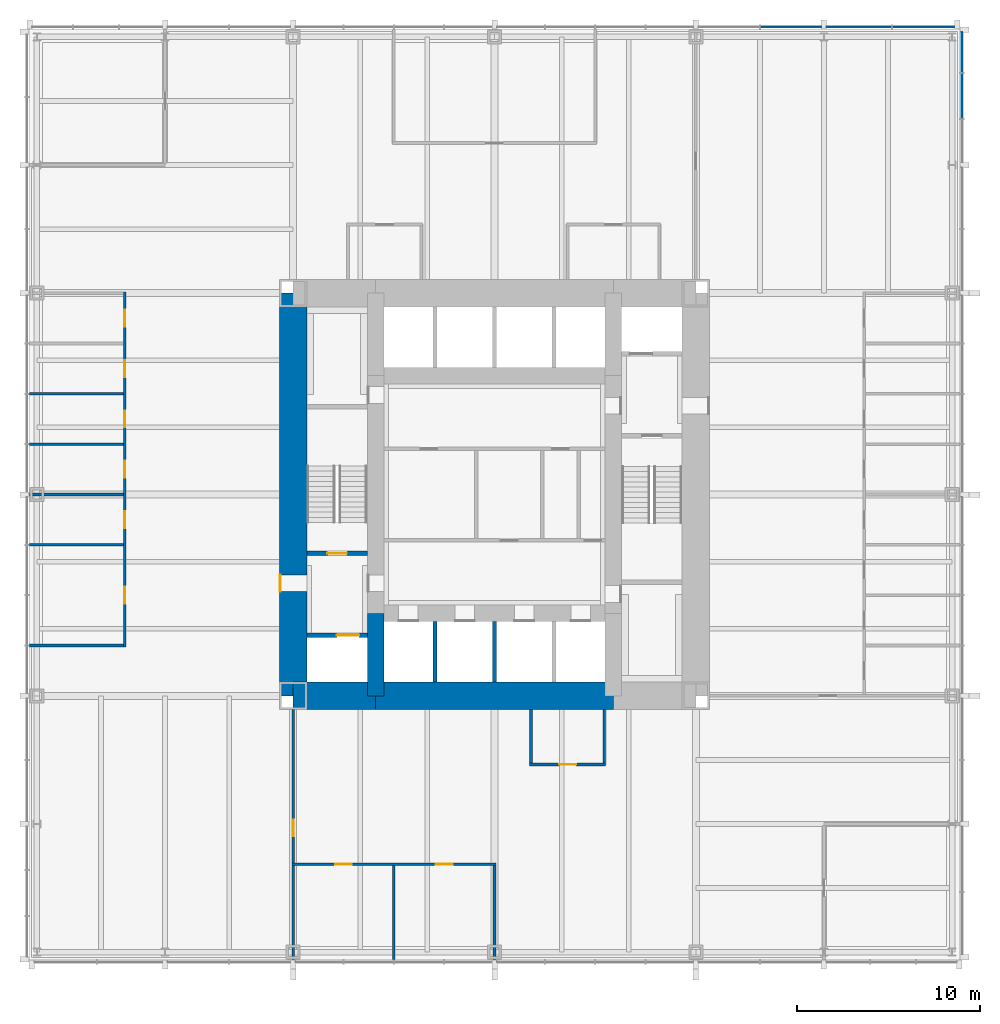
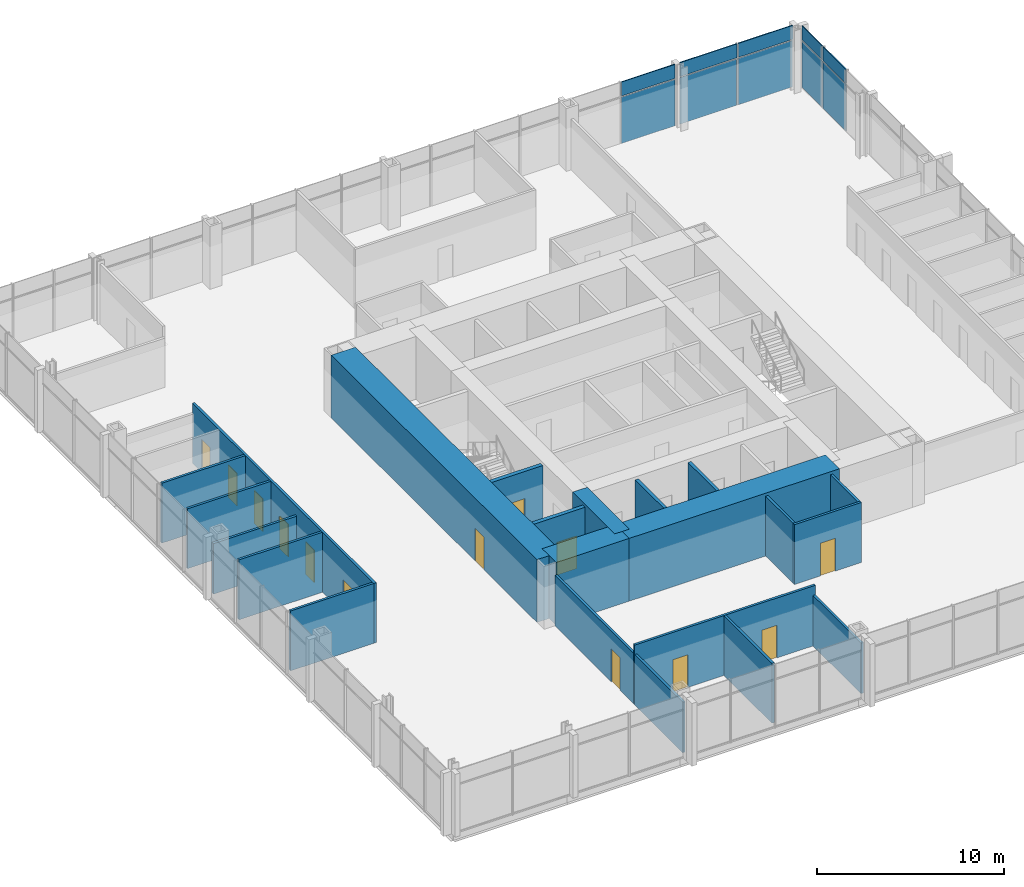
# One storey, part 9 of 13: 21 walls, 13 doors, 10 plates, 13 openings, 2 elements without a shape of their own.
"""IFC4 building model written with IfcOpenShell, lengths in metres."""

from ifc_helpers import new_model, si_unit, direction, frame, frame_2d, origin, origin_2d, place, context, subcontext, project, spatial, rectangle, extrude, material, layer, layer_set, type_object, element, fill, aggregate, save


model = new_model("IFC4")

# Units and contexts
model_context = context("Model", 3, precision=1e-05, world=origin(), true_north=direction((0.0, 1.0)))
body_context = subcontext(model_context, "Body", "Model", "MODEL_VIEW")
ifc_project = project(units=[si_unit("LENGTHUNIT", "METRE"), si_unit("AREAUNIT", "SQUARE_METRE"), si_unit("VOLUMEUNIT", "CUBIC_METRE"), si_unit("PLANEANGLEUNIT", "RADIAN"), si_unit("MASSUNIT", "GRAM", prefix="KILO")], contexts=[model_context])

# Site, building, storey
site_placement = place(None, origin())
site = spatial("IfcSite", under=ifc_project, at=site_placement, CompositionType="ELEMENT")
building_placement = place(site_placement, origin())
building = spatial("IfcBuilding", under=site, at=building_placement, Name="Trevanion Tower", CompositionType="ELEMENT")
storey_placement = place(building_placement, frame((0.0, 0.0, 85.699951171875)))
storey = spatial("IfcBuildingStorey", under=building, at=storey_placement, Name="L20", CompositionType="ELEMENT", Elevation=85.699951171875)

# Curtain wall, plates
ifc_material_1 = material(Name="Aluminium and glass", Category="aluminium")
curtain_wall_type = type_object("IfcCurtainWallType", Name="CW1 curtain wall", PredefinedType="USERDEFINED", material=ifc_material_1)
curtain_wall_1_placement = place(storey_placement, origin())
curtain_wall_1 = element("IfcCurtainWall", 1, at=curtain_wall_1_placement, inside=storey, type_object=curtain_wall_type, Name="CW1 L20 0", ObjectType="UNITISED CURTAIN WALL", PredefinedType="USERDEFINED")
ifc_material_2 = material(Name="Aluminium spandrel panel", Category="aluminium")
ifc_layer_1 = layer(ifc_material_2, 0.06005859375)
ifc_layer_set_1 = layer_set([ifc_layer_1], Name="CW1 spandrel panel")
plate_type_1 = type_object("IfcPlateType", Name="CW1 spandrel panel", PredefinedType="CURTAIN_PANEL", material=ifc_layer_set_1)
plate_1_placement = place(storey_placement, frame((25.550048828125, 21.77490234375, 2.99755859375), z_axis=(0.0, 0.0, 1.0), x_axis=(0.0, 1.0, 0.0)))
plate_1 = element("IfcPlate", 2, at=plate_1_placement, type_object=plate_type_1, Name="CW1 panel 16.2", PredefinedType="CURTAIN_PANEL", context=body_context, shape_type="SweptSolid", body=[
    extrude(rectangle(XDim=2.441650390625, YDim=0.06005859375, at=origin_2d()), origin(), (0.0, 0.0, 1.0), 0.91259765625),
])
plate_2_placement = place(storey_placement, frame((25.550048828125, 24.160400390625, 2.99755859375), z_axis=(0.0, 0.0, 1.0), x_axis=(0.0, 1.0, 0.0)))
plate_2 = element("IfcPlate", 3, at=plate_2_placement, type_object=plate_type_1, Name="CW1 panel 17.2", PredefinedType="CURTAIN_PANEL", context=body_context, shape_type="SweptSolid", body=[
    extrude(rectangle(XDim=2.17919921875, YDim=0.06005859375, at=origin_2d()), origin(), (0.0, 0.0, 1.0), 0.91259765625),
])

curtain_wall_2_placement = place(storey_placement, origin())
curtain_wall_2 = element("IfcCurtainWall", 4, at=curtain_wall_2_placement, inside=storey, type_object=curtain_wall_type, Name="CW1 L20 1", ObjectType="UNITISED CURTAIN WALL", PredefinedType="USERDEFINED")
plate_3_placement = place(storey_placement, frame((23.433837890625, 25.550048828125, 2.99755859375), z_axis=(0.0, 0.0, 1.0), x_axis=(-1.0, 0.0, 0.0)))
plate_3 = element("IfcPlate", 5, at=plate_3_placement, type_object=plate_type_1, Name="CW1 panel 1.2", PredefinedType="CURTAIN_PANEL", context=body_context, shape_type="SweptSolid", body=[
    extrude(rectangle(XDim=3.37255859375, YDim=0.06005859375, at=origin_2d()), origin(), (0.0, 0.0, 1.0), 0.91259765625),
])
plate_4_placement = place(storey_placement, frame((19.911376953125, 25.550048828125, 2.99755859375), z_axis=(0.0, 0.0, 1.0), x_axis=(-1.0, 0.0, 0.0)))
plate_4 = element("IfcPlate", 6, at=plate_4_placement, type_object=plate_type_1, Name="CW1 panel 2.2", PredefinedType="CURTAIN_PANEL", context=body_context, shape_type="SweptSolid", body=[
    extrude(rectangle(XDim=3.5224609375, YDim=0.06005859375, at=origin_2d()), origin(), (0.0, 0.0, 1.0), 0.91259765625),
])
plate_5_placement = place(storey_placement, frame((16.19384765625, 25.550048828125, 2.99755859375), z_axis=(0.0, 0.0, 1.0), x_axis=(-1.0, 0.0, 0.0)))
plate_5 = element("IfcPlate", 7, at=plate_5_placement, type_object=plate_type_1, Name="CW1 panel 3.2", PredefinedType="CURTAIN_PANEL", context=body_context, shape_type="SweptSolid", body=[
    extrude(rectangle(XDim=3.3125, YDim=0.06005859375, at=origin_2d()), origin(), (0.0, 0.0, 1.0), 0.91259765625),
])

# Plate
ifc_material_3 = material(Name="Insulating glass unit", Category="glass")
ifc_layer_2 = layer(ifc_material_3, 0.028076171875)
ifc_layer_set_2 = layer_set([ifc_layer_2], Name="CW1 vision panel")
plate_type_2 = type_object("IfcPlateType", Name="CW1 vision panel", PredefinedType="CURTAIN_PANEL", material=ifc_layer_set_2)
plate_6_placement = place(storey_placement, frame((25.550048828125, 21.77490234375, -0.114990234375), z_axis=(0.0, 0.0, 1.0), x_axis=(0.0, 1.0, 0.0)))
plate_6 = element("IfcPlate", 8, at=plate_6_placement, type_object=plate_type_2, Name="CW1 panel 16.1", PredefinedType="CURTAIN_PANEL", context=body_context, shape_type="SweptSolid", body=[
    extrude(rectangle(XDim=2.441650390625, YDim=0.028076171875, at=origin_2d()), origin(), (0.0, 0.0, 1.0), 3.03759765625),
])

plate_7_placement = place(storey_placement, frame((25.550048828125, 24.160400390625, -0.114990234375), z_axis=(0.0, 0.0, 1.0), x_axis=(0.0, 1.0, 0.0)))
plate_7 = element("IfcPlate", 9, at=plate_7_placement, type_object=plate_type_2, Name="CW1 panel 17.1", PredefinedType="CURTAIN_PANEL", context=body_context, shape_type="SweptSolid", body=[
    extrude(rectangle(XDim=2.17919921875, YDim=0.028076171875, at=origin_2d()), origin(), (0.0, 0.0, 1.0), 3.03759765625),
])

aggregate(curtain_wall_1, [plate_6, plate_1, plate_7, plate_2])

plate_8_placement = place(storey_placement, frame((23.433837890625, 25.550048828125, -0.114990234375), z_axis=(0.0, 0.0, 1.0), x_axis=(-1.0, 0.0, 0.0)))
plate_8 = element("IfcPlate", 10, at=plate_8_placement, type_object=plate_type_2, Name="CW1 panel 1.1", PredefinedType="CURTAIN_PANEL", context=body_context, shape_type="SweptSolid", body=[
    extrude(rectangle(XDim=3.37255859375, YDim=0.028076171875, at=origin_2d()), origin(), (0.0, 0.0, 1.0), 3.03759765625),
])

plate_9_placement = place(storey_placement, frame((19.911376953125, 25.550048828125, -0.114990234375), z_axis=(0.0, 0.0, 1.0), x_axis=(-1.0, 0.0, 0.0)))
plate_9 = element("IfcPlate", 11, at=plate_9_placement, type_object=plate_type_2, Name="CW1 panel 2.1", PredefinedType="CURTAIN_PANEL", context=body_context, shape_type="SweptSolid", body=[
    extrude(rectangle(XDim=3.5224609375, YDim=0.028076171875, at=origin_2d()), origin(), (0.0, 0.0, 1.0), 3.03759765625),
])

plate_10_placement = place(storey_placement, frame((16.19384765625, 25.550048828125, -0.114990234375), z_axis=(0.0, 0.0, 1.0), x_axis=(-1.0, 0.0, 0.0)))
plate_10 = element("IfcPlate", 12, at=plate_10_placement, type_object=plate_type_2, Name="CW1 panel 3.1", PredefinedType="CURTAIN_PANEL", context=body_context, shape_type="SweptSolid", body=[
    extrude(rectangle(XDim=3.3125, YDim=0.028076171875, at=origin_2d()), origin(), (0.0, 0.0, 1.0), 3.03759765625),
])

aggregate(curtain_wall_2, [plate_8, plate_3, plate_9, plate_4, plate_10, plate_5])

# Wall, opening, door
ifc_material_4 = material(Name="Concrete 10,000 psi", Category="concrete")
ifc_layer_3 = layer(ifc_material_4, 1.5)
ifc_layer_set_3 = layer_set([ifc_layer_3], Name="CW1 core wall 1500")
wall_type_1 = type_object("IfcWallType", Name="CW1 core wall 1500", PredefinedType="SHEAR", material=ifc_layer_set_3)
wall_1_placement = place(storey_placement, frame((-11.0, 11.0, 0.0), z_axis=(0.0, 0.0, 1.0), x_axis=(0.0, -1.0, 0.0)))
wall_1 = element("IfcWall", 13, at=wall_1_placement, inside=storey, type_object=wall_type_1, Name="CW1 CW L20", PredefinedType="SHEAR", context=body_context, shape_type="SweptSolid", body=[
    extrude(rectangle(XDim=22.0, YDim=1.5, at=frame_2d((11.0, 0.0))), origin(), (0.0, 0.0, 1.0), 4.10009765625),
])
opening_1_placement = place(wall_1_placement, frame((15.392578125, 0.0, 0.0)))
opening_1 = element("IfcOpeningElement", 14, at=opening_1_placement, cuts=wall_1, Name="Opening 20-002", PredefinedType="OPENING", context=body_context, shape_type="SweptSolid", body=[
    extrude(rectangle(XDim=0.9150390625, YDim=2.134033203125, at=frame_2d((0.45751953125, 1.06689453125))), frame((0.0, 0.760009765625, 0.0), z_axis=(0.0, -1.0, 0.0), x_axis=(1.0, 0.0, 0.0)), (0.0, 0.0, 1.0), 1.52001953125),
])
ifc_material_5 = material(Name="Hollow metal, fire rated", Category="steel")
door_type_1 = type_object("IfcDoorType", Name="D3 fire lift lobby door", OperationType="SINGLE_SWING_RIGHT", PredefinedType="DOOR", material=ifc_material_5)
door_1_placement = place(opening_1_placement, origin())
door_1 = element("IfcDoor", 15, at=door_1_placement, inside=storey, type_object=door_type_1, Name="Door 20-002", OperationType="SINGLE_SWING_RIGHT", OverallHeight=2.134033203125, OverallWidth=0.9150390625, PredefinedType="DOOR", context=body_context, shape_type="SweptSolid", body=[
    extrude(rectangle(XDim=0.9150390625, YDim=2.134033203125, at=frame_2d((0.45751953125, 1.06689453125))), frame((0.0, -0.6748046875, 0.0), z_axis=(0.0, -1.0, 0.0), x_axis=(1.0, 0.0, 0.0)), (0.0, 0.0, 1.0), 0.050048828125),
])
fill(opening_1, door_1)

# Walls
wall_2_placement = place(storey_placement, frame((-11.0, -11.0, 0.0), z_axis=(0.0, 0.0, 1.0), x_axis=(1.0, 0.0, 0.0)))
element("IfcWall", 16, at=wall_2_placement, inside=storey, type_object=wall_type_1, Name="CW1 CS1 L20", PredefinedType="SHEAR", context=body_context, shape_type="SweptSolid", body=[
    extrude(rectangle(XDim=4.5, YDim=1.5, at=frame_2d((2.25, 0.0))), origin(), (0.0, 0.0, 1.0), 4.10009765625),
])
wall_3_placement = place(storey_placement, frame((-6.5, -11.0, 0.0), z_axis=(0.0, 0.0, 1.0), x_axis=(1.0, 0.0, 0.0)))
element("IfcWall", 17, at=wall_3_placement, inside=storey, type_object=wall_type_1, Name="CW1 CS2 L20", PredefinedType="SHEAR", context=body_context, shape_type="SweptSolid", body=[
    extrude(rectangle(XDim=13.0, YDim=1.5, at=frame_2d((6.5, 0.0))), origin(), (0.0, 0.0, 1.0), 4.10009765625),
])
ifc_material_6 = material(Name="Concrete 10,000 psi", Category="concrete")
ifc_layer_4 = layer(ifc_material_6, 0.89990234375)
ifc_layer_set_4 = layer_set([ifc_layer_4], Name="CW2 core wall 900")
wall_type_2 = type_object("IfcWallType", Name="CW2 core wall 900", PredefinedType="SHEAR", material=ifc_layer_set_4)
wall_4_placement = place(storey_placement, frame((-6.5, -6.5, 0.0), z_axis=(0.0, 0.0, 1.0), x_axis=(0.0, -1.0, 0.0)))
element("IfcWall", 18, at=wall_4_placement, inside=storey, type_object=wall_type_2, Name="CW2 RW3 L20", PredefinedType="SHEAR", context=body_context, shape_type="SweptSolid", body=[
    extrude(rectangle(XDim=4.5, YDim=0.89990234375, at=frame_2d((2.25, 0.0))), origin(), (0.0, 0.0, 1.0), 4.10009765625),
])

# Wall, opening, door
ifc_material_7 = material(Name="Gypsum board on steel studs", Category="steel")
ifc_layer_5 = layer(ifc_material_7, 0.14990234375)
ifc_layer_set_5 = layer_set([ifc_layer_5], Name="PT1 partition 150")
wall_type_3 = type_object("IfcWallType", Name="PT1 partition 150", PredefinedType="PARTITIONING", material=ifc_layer_set_5)
wall_5_placement = place(storey_placement, frame((-11.0, -11.75, 0.0), z_axis=(0.0, 0.0, 1.0), x_axis=(0.0, -1.0, 0.0)))
wall_5 = element("IfcWall", 19, at=wall_5_placement, inside=storey, type_object=wall_type_3, Name="PT1 L20 ZW2", PredefinedType="PARTITIONING", context=body_context, shape_type="SweptSolid", body=[
    extrude(rectangle(XDim=13.6650390625, YDim=0.14990234375, at=frame_2d((6.83251953125, 0.0))), origin(), (0.0, 0.0, 1.0), 3.300537109375),
])
opening_2_placement = place(wall_5_placement, frame((6.017578125, 0.0, 0.0)))
opening_2 = element("IfcOpeningElement", 20, at=opening_2_placement, cuts=wall_5, Name="Opening 20-020", PredefinedType="OPENING", context=body_context, shape_type="SweptSolid", body=[
    extrude(rectangle(XDim=0.9150390625, YDim=2.134033203125, at=frame_2d((0.45751953125, 1.06689453125))), frame((0.0, 0.0849609375, 0.0), z_axis=(0.0, -1.0, 0.0), x_axis=(1.0, 0.0, 0.0)), (0.0, 0.0, 1.0), 0.169921875),
])
ifc_material_8 = material(Name="Timber veneer, solid core", Category="wood")
door_type_2 = type_object("IfcDoorType", Name="D1 office and meeting room door", OperationType="SINGLE_SWING_LEFT", PredefinedType="DOOR", material=ifc_material_8)
door_2_placement = place(opening_2_placement, origin())
door_2 = element("IfcDoor", 21, at=door_2_placement, inside=storey, type_object=door_type_2, Name="Door 20-020", OperationType="SINGLE_SWING_LEFT", OverallHeight=2.134033203125, OverallWidth=0.9150390625, PredefinedType="DOOR", context=body_context, shape_type="SweptSolid", body=[
    extrude(rectangle(XDim=0.9150390625, YDim=2.134033203125, at=frame_2d((0.45751953125, 1.06689453125))), frame((0.0, 0.02490234375, 0.0), z_axis=(0.0, -1.0, 0.0), x_axis=(1.0, 0.0, 0.0)), (0.0, 0.0, 1.0), 0.050048828125),
])
fill(opening_2, door_2)

# Wall, openings, doors
wall_6_placement = place(storey_placement, frame((-20.199951171875, 11.074951171875, 0.0), z_axis=(0.0, 0.0, 1.0), x_axis=(0.0, -1.0, 0.0)))
wall_6 = element("IfcWall", 22, at=wall_6_placement, inside=storey, type_object=wall_type_3, Name="PT1 L20 FC2F", PredefinedType="PARTITIONING", context=body_context, shape_type="SweptSolid", body=[
    extrude(rectangle(XDim=19.39990234375, YDim=0.14990234375, at=frame_2d((9.699951171875, 0.0))), origin(), (0.0, 0.0, 1.0), 3.91015625),
])
opening_3_placement = place(wall_6_placement, frame((0.992431640625, 0.0, 0.0)))
opening_3 = element("IfcOpeningElement", 23, at=opening_3_placement, cuts=wall_6, Name="Opening 20-032", PredefinedType="OPENING", context=body_context, shape_type="SweptSolid", body=[
    extrude(rectangle(XDim=0.9150390625, YDim=2.134033203125, at=frame_2d((0.45751953125, 1.06689453125))), frame((0.0, 0.0849609375, 0.0), z_axis=(0.0, -1.0, 0.0), x_axis=(1.0, 0.0, 0.0)), (0.0, 0.0, 1.0), 0.169921875),
])
opening_4_placement = place(wall_6_placement, frame((3.742431640625, 0.0, 0.0)))
opening_4 = element("IfcOpeningElement", 24, at=opening_4_placement, cuts=wall_6, Name="Opening 20-033", PredefinedType="OPENING", context=body_context, shape_type="SweptSolid", body=[
    extrude(rectangle(XDim=0.9150390625, YDim=2.134033203125, at=frame_2d((0.45751953125, 1.06689453125))), frame((0.0, 0.0849609375, 0.0), z_axis=(0.0, -1.0, 0.0), x_axis=(1.0, 0.0, 0.0)), (0.0, 0.0, 1.0), 0.169921875),
])
opening_5_placement = place(wall_6_placement, frame((6.492431640625, 0.0, 0.0)))
opening_5 = element("IfcOpeningElement", 25, at=opening_5_placement, cuts=wall_6, Name="Opening 20-034", PredefinedType="OPENING", context=body_context, shape_type="SweptSolid", body=[
    extrude(rectangle(XDim=0.9150390625, YDim=2.134033203125, at=frame_2d((0.45751953125, 1.06689453125))), frame((0.0, 0.0849609375, 0.0), z_axis=(0.0, -1.0, 0.0), x_axis=(1.0, 0.0, 0.0)), (0.0, 0.0, 1.0), 0.169921875),
])
opening_6_placement = place(wall_6_placement, frame((9.242431640625, 0.0, 0.0)))
opening_6 = element("IfcOpeningElement", 26, at=opening_6_placement, cuts=wall_6, Name="Opening 20-035", PredefinedType="OPENING", context=body_context, shape_type="SweptSolid", body=[
    extrude(rectangle(XDim=0.9150390625, YDim=2.134033203125, at=frame_2d((0.45751953125, 1.06689453125))), frame((0.0, 0.0849609375, 0.0), z_axis=(0.0, -1.0, 0.0), x_axis=(1.0, 0.0, 0.0)), (0.0, 0.0, 1.0), 0.169921875),
])
opening_7_placement = place(wall_6_placement, frame((11.992431640625, 0.0, 0.0)))
opening_7 = element("IfcOpeningElement", 27, at=opening_7_placement, cuts=wall_6, Name="Opening 20-036", PredefinedType="OPENING", context=body_context, shape_type="SweptSolid", body=[
    extrude(rectangle(XDim=0.9150390625, YDim=2.134033203125, at=frame_2d((0.45751953125, 1.06689453125))), frame((0.0, 0.0849609375, 0.0), z_axis=(0.0, -1.0, 0.0), x_axis=(1.0, 0.0, 0.0)), (0.0, 0.0, 1.0), 0.169921875),
])
opening_8_placement = place(wall_6_placement, frame((16.117431640625, 0.0, 0.0)))
opening_8 = element("IfcOpeningElement", 28, at=opening_8_placement, cuts=wall_6, Name="Opening 20-037", PredefinedType="OPENING", context=body_context, shape_type="SweptSolid", body=[
    extrude(rectangle(XDim=0.9150390625, YDim=2.134033203125, at=frame_2d((0.45751953125, 1.06689453125))), frame((0.0, 0.0849609375, 0.0), z_axis=(0.0, -1.0, 0.0), x_axis=(1.0, 0.0, 0.0)), (0.0, 0.0, 1.0), 0.169921875),
])
door_3_placement = place(opening_3_placement, origin())
door_3 = element("IfcDoor", 29, at=door_3_placement, inside=storey, type_object=door_type_2, Name="Door 20-032", OperationType="SINGLE_SWING_LEFT", OverallHeight=2.134033203125, OverallWidth=0.9150390625, PredefinedType="DOOR", context=body_context, shape_type="SweptSolid", body=[
    extrude(rectangle(XDim=0.9150390625, YDim=2.134033203125, at=frame_2d((0.45751953125, 1.06689453125))), frame((0.0, 0.02490234375, 0.0), z_axis=(0.0, -1.0, 0.0), x_axis=(1.0, 0.0, 0.0)), (0.0, 0.0, 1.0), 0.050048828125),
])
fill(opening_3, door_3)
door_4_placement = place(opening_4_placement, origin())
door_4 = element("IfcDoor", 30, at=door_4_placement, inside=storey, type_object=door_type_2, Name="Door 20-033", OperationType="SINGLE_SWING_LEFT", OverallHeight=2.134033203125, OverallWidth=0.9150390625, PredefinedType="DOOR", context=body_context, shape_type="SweptSolid", body=[
    extrude(rectangle(XDim=0.9150390625, YDim=2.134033203125, at=frame_2d((0.45751953125, 1.06689453125))), frame((0.0, 0.02490234375, 0.0), z_axis=(0.0, -1.0, 0.0), x_axis=(1.0, 0.0, 0.0)), (0.0, 0.0, 1.0), 0.050048828125),
])
fill(opening_4, door_4)
door_5_placement = place(opening_5_placement, origin())
door_5 = element("IfcDoor", 31, at=door_5_placement, inside=storey, type_object=door_type_2, Name="Door 20-034", OperationType="SINGLE_SWING_LEFT", OverallHeight=2.134033203125, OverallWidth=0.9150390625, PredefinedType="DOOR", context=body_context, shape_type="SweptSolid", body=[
    extrude(rectangle(XDim=0.9150390625, YDim=2.134033203125, at=frame_2d((0.45751953125, 1.06689453125))), frame((0.0, 0.02490234375, 0.0), z_axis=(0.0, -1.0, 0.0), x_axis=(1.0, 0.0, 0.0)), (0.0, 0.0, 1.0), 0.050048828125),
])
fill(opening_5, door_5)
door_6_placement = place(opening_6_placement, origin())
door_6 = element("IfcDoor", 32, at=door_6_placement, inside=storey, type_object=door_type_2, Name="Door 20-035", OperationType="SINGLE_SWING_LEFT", OverallHeight=2.134033203125, OverallWidth=0.9150390625, PredefinedType="DOOR", context=body_context, shape_type="SweptSolid", body=[
    extrude(rectangle(XDim=0.9150390625, YDim=2.134033203125, at=frame_2d((0.45751953125, 1.06689453125))), frame((0.0, 0.02490234375, 0.0), z_axis=(0.0, -1.0, 0.0), x_axis=(1.0, 0.0, 0.0)), (0.0, 0.0, 1.0), 0.050048828125),
])
fill(opening_6, door_6)
door_7_placement = place(opening_7_placement, origin())
door_7 = element("IfcDoor", 33, at=door_7_placement, inside=storey, type_object=door_type_2, Name="Door 20-036", OperationType="SINGLE_SWING_LEFT", OverallHeight=2.134033203125, OverallWidth=0.9150390625, PredefinedType="DOOR", context=body_context, shape_type="SweptSolid", body=[
    extrude(rectangle(XDim=0.9150390625, YDim=2.134033203125, at=frame_2d((0.45751953125, 1.06689453125))), frame((0.0, 0.02490234375, 0.0), z_axis=(0.0, -1.0, 0.0), x_axis=(1.0, 0.0, 0.0)), (0.0, 0.0, 1.0), 0.050048828125),
])
fill(opening_7, door_7)
door_8_placement = place(opening_8_placement, origin())
door_8 = element("IfcDoor", 34, at=door_8_placement, inside=storey, type_object=door_type_2, Name="Door 20-037", OperationType="SINGLE_SWING_LEFT", OverallHeight=2.134033203125, OverallWidth=0.9150390625, PredefinedType="DOOR", context=body_context, shape_type="SweptSolid", body=[
    extrude(rectangle(XDim=0.9150390625, YDim=2.134033203125, at=frame_2d((0.45751953125, 1.06689453125))), frame((0.0, 0.02490234375, 0.0), z_axis=(0.0, -1.0, 0.0), x_axis=(1.0, 0.0, 0.0)), (0.0, 0.0, 1.0), 0.050048828125),
])
fill(opening_8, door_8)

# Walls
for number, where, z_axis, x_axis, name in (
    (35, (-20.27490234375, 5.5, 0.0), (0.0, 0.0, 1.0), (-1.0, 0.0, 0.0), "PT1 L20 FC2S2"),
    (36, (-20.27490234375, 2.75, 0.0), (0.0, 0.0, 1.0), (-1.0, 0.0, 0.0), "PT1 L20 FC2S3"),
):
    element("IfcWall", number, at=place(storey_placement, frame(where, z_axis=z_axis, x_axis=x_axis)), inside=storey, type_object=wall_type_3, Name=name, PredefinedType="PARTITIONING", context=body_context, shape_type="SweptSolid", body=[
        extrude(rectangle(XDim=5.14013671875, YDim=0.14990234375, at=frame_2d((2.570068359375, 0.0))), origin(), (0.0, 0.0, 1.0), 3.91015625),
    ])
wall_7_placement = place(storey_placement, frame((-20.27490234375, 0.0, 0.0), z_axis=(0.0, 0.0, 1.0), x_axis=(-1.0, 0.0, 0.0)))
element("IfcWall", 37, at=wall_7_placement, inside=storey, type_object=wall_type_3, Name="PT1 L20 FC2S4", PredefinedType="PARTITIONING", context=body_context, shape_type="SweptSolid", body=[
    extrude(rectangle(XDim=5.14013671875, YDim=0.14990234375, at=frame_2d((2.570068359375, 0.0))), origin(), (0.0, 0.0, 1.0), 3.300537109375),
])
for number, where, z_axis, x_axis, name in (
    (38, (-20.27490234375, -2.75, 0.0), (0.0, 0.0, 1.0), (-1.0, 0.0, 0.0), "PT1 L20 FC2S5"),
    (39, (-20.27490234375, -8.25, 0.0), (0.0, 0.0, 1.0), (-1.0, 0.0, 0.0), "PT1 L20 FC2S7"),
):
    element("IfcWall", number, at=place(storey_placement, frame(where, z_axis=z_axis, x_axis=x_axis)), inside=storey, type_object=wall_type_3, Name=name, PredefinedType="PARTITIONING", context=body_context, shape_type="SweptSolid", body=[
        extrude(rectangle(XDim=5.14013671875, YDim=0.14990234375, at=frame_2d((2.570068359375, 0.0))), origin(), (0.0, 0.0, 1.0), 3.91015625),
    ])

# Wall, openings, doors
wall_8_placement = place(storey_placement, frame((-11.074951171875, -20.199951171875, 0.0), z_axis=(0.0, 0.0, 1.0), x_axis=(1.0, 0.0, 0.0)))
wall_8 = element("IfcWall", 40, at=wall_8_placement, inside=storey, type_object=wall_type_3, Name="PT1 L20 FC3F", PredefinedType="PARTITIONING", context=body_context, shape_type="SweptSolid", body=[
    extrude(rectangle(XDim=11.14990234375, YDim=0.14990234375, at=frame_2d((5.574951171875, 0.0))), origin(), (0.0, 0.0, 1.0), 3.91015625),
])
opening_9_placement = place(wall_8_placement, frame((2.367431640625, 0.0, 0.0)))
opening_9 = element("IfcOpeningElement", 41, at=opening_9_placement, cuts=wall_8, Name="Opening 20-039", PredefinedType="OPENING", context=body_context, shape_type="SweptSolid", body=[
    extrude(rectangle(XDim=0.9150390625, YDim=2.134033203125, at=frame_2d((0.45751953125, 1.06689453125))), frame((0.0, 0.0849609375, 0.0), z_axis=(0.0, -1.0, 0.0), x_axis=(1.0, 0.0, 0.0)), (0.0, 0.0, 1.0), 0.169921875),
])
opening_10_placement = place(wall_8_placement, frame((7.867431640625, 0.0, 0.0)))
opening_10 = element("IfcOpeningElement", 42, at=opening_10_placement, cuts=wall_8, Name="Opening 20-040", PredefinedType="OPENING", context=body_context, shape_type="SweptSolid", body=[
    extrude(rectangle(XDim=0.9150390625, YDim=2.134033203125, at=frame_2d((0.45751953125, 1.06689453125))), frame((0.0, 0.0849609375, 0.0), z_axis=(0.0, -1.0, 0.0), x_axis=(1.0, 0.0, 0.0)), (0.0, 0.0, 1.0), 0.169921875),
])
door_9_placement = place(opening_9_placement, origin())
door_9 = element("IfcDoor", 43, at=door_9_placement, inside=storey, type_object=door_type_2, Name="Door 20-039", OperationType="SINGLE_SWING_LEFT", OverallHeight=2.134033203125, OverallWidth=0.9150390625, PredefinedType="DOOR", context=body_context, shape_type="SweptSolid", body=[
    extrude(rectangle(XDim=0.9150390625, YDim=2.134033203125, at=frame_2d((0.45751953125, 1.06689453125))), frame((0.0, 0.02490234375, 0.0), z_axis=(0.0, -1.0, 0.0), x_axis=(1.0, 0.0, 0.0)), (0.0, 0.0, 1.0), 0.050048828125),
])
fill(opening_9, door_9)
door_10_placement = place(opening_10_placement, origin())
door_10 = element("IfcDoor", 44, at=door_10_placement, inside=storey, type_object=door_type_2, Name="Door 20-040", OperationType="SINGLE_SWING_LEFT", OverallHeight=2.134033203125, OverallWidth=0.9150390625, PredefinedType="DOOR", context=body_context, shape_type="SweptSolid", body=[
    extrude(rectangle(XDim=0.9150390625, YDim=2.134033203125, at=frame_2d((0.45751953125, 1.06689453125))), frame((0.0, 0.02490234375, 0.0), z_axis=(0.0, -1.0, 0.0), x_axis=(1.0, 0.0, 0.0)), (0.0, 0.0, 1.0), 0.050048828125),
])
fill(opening_10, door_10)

# Walls
wall_9_placement = place(storey_placement, frame((-5.5, -20.27490234375, 0.0), z_axis=(0.0, 0.0, 1.0), x_axis=(0.0, -1.0, 0.0)))
element("IfcWall", 45, at=wall_9_placement, inside=storey, type_object=wall_type_3, Name="PT1 L20 FC3S2", PredefinedType="PARTITIONING", context=body_context, shape_type="SweptSolid", body=[
    extrude(rectangle(XDim=5.14013671875, YDim=0.14990234375, at=frame_2d((2.570068359375, 0.0))), origin(), (0.0, 0.0, 1.0), 3.91015625),
])
wall_10_placement = place(storey_placement, frame((0.0, -20.27490234375, 0.0), z_axis=(0.0, 0.0, 1.0), x_axis=(0.0, -1.0, 0.0)))
element("IfcWall", 46, at=wall_10_placement, inside=storey, type_object=wall_type_3, Name="PT1 L20 FC3S4", PredefinedType="PARTITIONING", context=body_context, shape_type="SweptSolid", body=[
    extrude(rectangle(XDim=5.14013671875, YDim=0.14990234375, at=frame_2d((2.570068359375, 0.0))), origin(), (0.0, 0.0, 1.0), 3.300537109375),
])

# Wall, opening, door
wall_11_placement = place(storey_placement, frame((1.925048828125, -14.75, 0.0), z_axis=(0.0, 0.0, 1.0), x_axis=(1.0, 0.0, 0.0)))
wall_11 = element("IfcWall", 47, at=wall_11_placement, inside=storey, type_object=wall_type_3, Name="PT1 L20 IN30F", PredefinedType="PARTITIONING", context=body_context, shape_type="SweptSolid", body=[
    extrude(rectangle(XDim=4.14990234375, YDim=0.14990234375, at=frame_2d((2.074951171875, 0.0))), origin(), (0.0, 0.0, 1.0), 3.91015625),
])
opening_11_placement = place(wall_11_placement, frame((1.617431640625, 0.0, 0.0)))
opening_11 = element("IfcOpeningElement", 48, at=opening_11_placement, cuts=wall_11, Name="Opening 20-043", PredefinedType="OPENING", context=body_context, shape_type="SweptSolid", body=[
    extrude(rectangle(XDim=0.9150390625, YDim=2.134033203125, at=frame_2d((0.45751953125, 1.06689453125))), frame((0.0, 0.0849609375, 0.0), z_axis=(0.0, -1.0, 0.0), x_axis=(1.0, 0.0, 0.0)), (0.0, 0.0, 1.0), 0.169921875),
])
door_11_placement = place(opening_11_placement, origin())
door_11 = element("IfcDoor", 49, at=door_11_placement, inside=storey, type_object=door_type_2, Name="Door 20-043", OperationType="SINGLE_SWING_LEFT", OverallHeight=2.134033203125, OverallWidth=0.9150390625, PredefinedType="DOOR", context=body_context, shape_type="SweptSolid", body=[
    extrude(rectangle(XDim=0.9150390625, YDim=2.134033203125, at=frame_2d((0.45751953125, 1.06689453125))), frame((0.0, 0.02490234375, 0.0), z_axis=(0.0, -1.0, 0.0), x_axis=(1.0, 0.0, 0.0)), (0.0, 0.0, 1.0), 0.050048828125),
])
fill(opening_11, door_11)

# Walls
for number, where, z_axis, x_axis, name in (
    (50, (2.0, -14.675048828125, 0.0), (0.0, 0.0, 1.0), (0.0, 1.0, 0.0), "PT1 L20 IN30S0"),
    (51, (6.0, -14.675048828125, 0.0), (0.0, 0.0, 1.0), (0.0, 1.0, 0.0), "PT1 L20 IN30S1"),
):
    element("IfcWall", number, at=place(storey_placement, frame(where, z_axis=z_axis, x_axis=x_axis)), inside=storey, type_object=wall_type_3, Name=name, PredefinedType="PARTITIONING", context=body_context, shape_type="SweptSolid", body=[
        extrude(rectangle(XDim=2.925048828125, YDim=0.14990234375, at=frame_2d((1.46240234375, 0.0))), origin(), (0.0, 0.0, 1.0), 3.91015625),
    ])
ifc_material_9 = material(Name="Concrete masonry, grouted", Category="masonry")
ifc_layer_6 = layer(ifc_material_9, 0.199951171875)
ifc_layer_set_6 = layer_set([ifc_layer_6], Name="PT2 partition 200 2 HR")
wall_type_4 = type_object("IfcWallType", Name="PT2 partition 200 2 HR", PredefinedType="PARTITIONING", material=ifc_layer_set_6)
for number, where, z_axis, x_axis, name in (
    (52, (-3.25, -10.25, 0.0), (0.0, 0.0, 1.0), (0.0, 1.0, 0.0), "PT2 L20 SS0"),
    (53, (0.0, -10.25, 0.0), (0.0, 0.0, 1.0), (0.0, 1.0, 0.0), "PT2 L20 SS1"),
):
    element("IfcWall", number, at=place(storey_placement, frame(where, z_axis=z_axis, x_axis=x_axis)), inside=storey, type_object=wall_type_4, Name=name, PredefinedType="PARTITIONING", context=body_context, shape_type="SweptSolid", body=[
        extrude(rectangle(XDim=3.300048828125, YDim=0.199951171875, at=frame_2d((1.64990234375, 0.0))), origin(), (0.0, 0.0, 1.0), 3.91015625),
    ])

# Wall, opening, door
ifc_material_10 = material(Name="Concrete masonry, grouted, two-hour", Category="masonry")
ifc_layer_7 = layer(ifc_material_10, 0.25)
ifc_layer_set_7 = layer_set([ifc_layer_7], Name="PT3 partition 250 2 HR")
wall_type_5 = type_object("IfcWallType", Name="PT3 partition 250 2 HR", PredefinedType="PARTITIONING", material=ifc_layer_set_7)
wall_12_placement = place(storey_placement, frame((-6.949951171875, -7.699951171875, 0.0), z_axis=(0.0, 0.0, 1.0), x_axis=(-1.0, 0.0, 0.0)))
wall_12 = element("IfcWall", 54, at=wall_12_placement, inside=storey, type_object=wall_type_5, Name="PT3 L20 WP3", PredefinedType="PARTITIONING", context=body_context, shape_type="SweptSolid", body=[
    extrude(rectangle(XDim=3.300048828125, YDim=0.25, at=frame_2d((1.64990234375, 0.0))), origin(), (0.0, 0.0, 1.0), 3.91015625),
])
opening_12_placement = place(wall_12_placement, frame((0.449951171875, 0.0, 0.0)))
opening_12 = element("IfcOpeningElement", 55, at=opening_12_placement, cuts=wall_12, Name="Opening 20-008", PredefinedType="OPENING", context=body_context, shape_type="SweptSolid", body=[
    extrude(rectangle(XDim=1.218994140625, YDim=2.134033203125, at=frame_2d((0.609375, 1.06689453125))), frame((0.0, 0.135009765625, 0.0), z_axis=(0.0, -1.0, 0.0), x_axis=(1.0, 0.0, 0.0)), (0.0, 0.0, 1.0), 0.27001953125),
])
ifc_material_11 = material(Name="Stainless steel, fire rated", Category="steel")
door_type_3 = type_object("IfcDoorType", Name="LD2 fire service lift landing door", OperationType="SLIDING_TO_LEFT", PredefinedType="DOOR", material=ifc_material_11)
door_12_placement = place(opening_12_placement, origin())
door_12 = element("IfcDoor", 56, at=door_12_placement, inside=storey, type_object=door_type_3, Name="Door 20-008", OperationType="SLIDING_TO_LEFT", OverallHeight=2.134033203125, OverallWidth=1.218994140625, PredefinedType="DOOR", context=body_context, shape_type="SweptSolid", body=[
    extrude(rectangle(XDim=1.218994140625, YDim=2.134033203125, at=frame_2d((0.609375, 1.06689453125))), frame((0.0, 0.02490234375, 0.0), z_axis=(0.0, -1.0, 0.0), x_axis=(1.0, 0.0, 0.0)), (0.0, 0.0, 1.0), 0.050048828125),
])
fill(opening_12, door_12)

ifc_material_12 = material(Name="Reinforced masonry, fully grouted", Category="masonry")
ifc_layer_8 = layer(ifc_material_12, 0.25)
ifc_layer_set_8 = layer_set([ifc_layer_8], Name="SW1 stair shaft wall 250")
wall_type_6 = type_object("IfcWallType", Name="SW1 stair shaft wall 250", PredefinedType="SOLIDWALL", material=ifc_layer_set_8)
wall_13_placement = place(storey_placement, frame((-6.949951171875, -3.199951171875, 0.0), z_axis=(0.0, 0.0, 1.0), x_axis=(-1.0, 0.0, 0.0)))
wall_13 = element("IfcWall", 57, at=wall_13_placement, inside=storey, type_object=wall_type_6, Name="SW1 L20 WP2", PredefinedType="SOLIDWALL", context=body_context, shape_type="SweptSolid", body=[
    extrude(rectangle(XDim=3.300048828125, YDim=0.25, at=frame_2d((1.64990234375, 0.0))), origin(), (0.0, 0.0, 1.0), 3.91015625),
])
opening_13_placement = place(wall_13_placement, frame((1.116455078125, 0.0, 0.0)))
opening_13 = element("IfcOpeningElement", 58, at=opening_13_placement, cuts=wall_13, Name="Opening 20-006", PredefinedType="OPENING", context=body_context, shape_type="SweptSolid", body=[
    extrude(rectangle(XDim=1.06689453125, YDim=2.134033203125, at=frame_2d((0.533447265625, 1.06689453125))), frame((0.0, 0.135009765625, 0.0), z_axis=(0.0, -1.0, 0.0), x_axis=(1.0, 0.0, 0.0)), (0.0, 0.0, 1.0), 0.27001953125),
])
ifc_material_13 = material(Name="Hollow metal, fire rated", Category="steel")
door_type_4 = type_object("IfcDoorType", Name="D2 exit stair door", OperationType="SINGLE_SWING_LEFT", PredefinedType="DOOR", material=ifc_material_13)
door_13_placement = place(opening_13_placement, origin())
door_13 = element("IfcDoor", 59, at=door_13_placement, inside=storey, type_object=door_type_4, Name="Door 20-006", OperationType="SINGLE_SWING_LEFT", OverallHeight=2.134033203125, OverallWidth=1.06689453125, PredefinedType="DOOR", context=body_context, shape_type="SweptSolid", body=[
    extrude(rectangle(XDim=1.06689453125, YDim=2.134033203125, at=frame_2d((0.533447265625, 1.06689453125))), frame((0.0, 0.02490234375, 0.0), z_axis=(0.0, -1.0, 0.0), x_axis=(1.0, 0.0, 0.0)), (0.0, 0.0, 1.0), 0.050048828125),
])
fill(opening_13, door_13)

save(model, "model.ifc")
